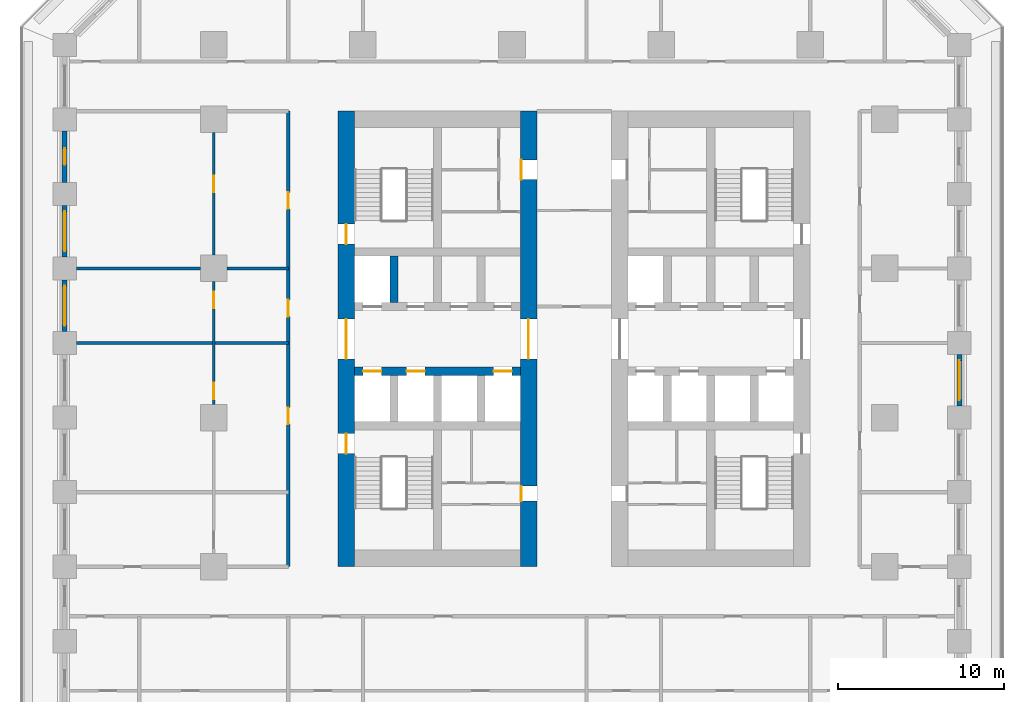
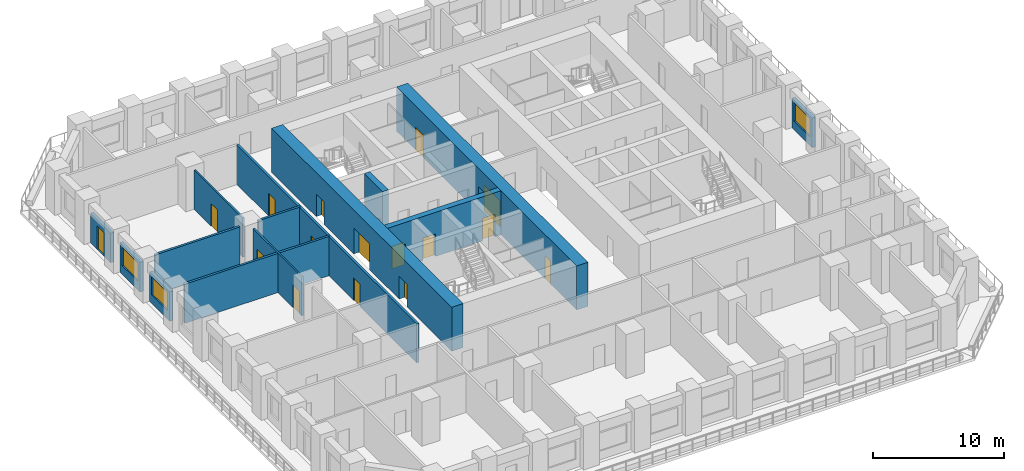
# One storey, part 5 of 12: 16 doors, 14 walls, 3 windows, 19 openings.
"""IFC4 building model written with IfcOpenShell, lengths in metres."""

import ifcopenshell
import ifcopenshell.guid

model = None  # the IFC model being written
_history = None  # IfcOwnerHistory: only IFC2X3 demands one
_inside = {}  # id of a spatial element -> (the spatial element, [elements in it])
_under = {}  # id of a project, library or spatial element -> (it, [spatial elements below it])
_declared = {}  # id of a project -> (the project, [libraries it declares])
_typed = {}  # id of a type object -> (the type object, [elements of that type])
_made_of = {}  # id of a material, layer set ... -> (it, [elements and type objects made of it])


def new_model(schema):
    """Start an empty IFC model of exactly this schema.

    Asked for "IFC4X3", IfcOpenShell would pick the latest addendum, in which some entities
    have other attributes; the version numbers below select the first issue.
    IFC2X3 requires an IfcOwnerHistory on every rooted entity: one is made here for all.
    """
    global model, _history
    if schema == "IFC4X3":
        model = ifcopenshell.file(schema_version=(4, 3, 0, 0))
    else:
        model = ifcopenshell.file(schema=schema)
    _inside.clear()
    _under.clear()
    _declared.clear()
    _typed.clear()
    _made_of.clear()
    _history = None
    if model.schema == "IFC2X3":
        org = make("IfcOrganization", Name="unknown")
        user = make(
            "IfcPersonAndOrganization",
            ThePerson=make("IfcPerson", FamilyName="unknown"),
            TheOrganization=org,
        )
        app = make(
            "IfcApplication",
            ApplicationDeveloper=org,
            Version="unknown",
            ApplicationFullName="unknown",
            ApplicationIdentifier="unknown",
        )
        _history = make(
            "IfcOwnerHistory",
            OwningUser=user,
            OwningApplication=app,
            ChangeAction="ADDED",
            CreationDate=0,
        )
    return model


def make(cls, **values):
    """One entity of the class cls with the attributes given. An attribute that is None is left unset."""
    return model.create_entity(
        cls, **{name: value for name, value in values.items() if value is not None}
    )


def rooted(cls, **values):
    """An entity with a GlobalId (a new one), such as an element, a storey or a relation."""
    return make(cls, GlobalId=ifcopenshell.guid.new(), OwnerHistory=_history, **values)


def si_unit(unit_type, name, prefix=None):
    """IfcSIUnit, for example si_unit("LENGTHUNIT", "METRE", prefix="MILLI")."""
    return make("IfcSIUnit", UnitType=unit_type, Prefix=prefix, Name=name)


def assignment(units):
    """IfcUnitAssignment: the units of a project."""
    return None if units is None else make("IfcUnitAssignment", Units=units)


def point(xyz):
    """IfcCartesianPoint."""
    return None if xyz is None else make("IfcCartesianPoint", Coordinates=xyz)


def direction(xyz):
    """IfcDirection."""
    return None if xyz is None else make("IfcDirection", DirectionRatios=xyz)


def frame(location, z_axis=None, x_axis=None):
    """IfcAxis2Placement3D, a coordinate frame: its origin and axes. An axis left out is left unset."""
    return make(
        "IfcAxis2Placement3D",
        Location=point(location),
        Axis=direction(z_axis),
        RefDirection=direction(x_axis),
    )


def frame_2d(location, x_axis=None):
    """IfcAxis2Placement2D, a coordinate frame in the plane: its origin and x axis."""
    return make(
        "IfcAxis2Placement2D", Location=point(location), RefDirection=direction(x_axis)
    )


def origin():
    """The frame at (0, 0, 0) with its axes left unset."""
    return frame((0.0, 0.0, 0.0))


def place(relative_to, where):
    """IfcLocalPlacement: puts the frame where relative to a parent placement (None: the world)."""
    return make(
        "IfcLocalPlacement", PlacementRelTo=relative_to, RelativePlacement=where
    )


def context(
    kind, dimensions, precision=None, world=None, true_north=None, identifier=None
):
    """IfcGeometricRepresentationContext, for example the 3D "Model" context."""
    return make(
        "IfcGeometricRepresentationContext",
        ContextIdentifier=identifier,
        ContextType=kind,
        CoordinateSpaceDimension=dimensions,
        Precision=precision,
        WorldCoordinateSystem=world,
        TrueNorth=true_north,
    )


def subcontext(parent, identifier, kind, view, scale=None):
    """IfcGeometricRepresentationSubContext, for example "Body" below "Model"."""
    return make(
        "IfcGeometricRepresentationSubContext",
        ContextIdentifier=identifier,
        ContextType=kind,
        ParentContext=parent,
        TargetScale=scale,
        TargetView=view,
    )


def project(units=None, contexts=None):
    """IfcProject with its units and contexts."""
    return rooted(
        "IfcProject",
        Name="project",
        RepresentationContexts=contexts,
        UnitsInContext=assignment(units),
    )


def spatial(cls, under=None, at=None, **own):
    """A site, building, storey or space (cls), placed at a placement, below another one or the project."""
    s = rooted(cls, ObjectPlacement=at, **own)
    if under is not None:
        _under.setdefault(under.id(), (under, []))[1].append(s)
    return s


def profile(cls, at=None, kind="AREA", **sizes):
    """A parametric profile (cls). Its sizes go by their IFC names, for example OverallWidth=200.0."""
    return make(cls, ProfileType=kind, Position=at, **sizes)


def rectangle(**sizes):
    """IfcRectangleProfileDef."""
    return profile("IfcRectangleProfileDef", **sizes)


def extrude(swept, where, along, depth):
    """IfcExtrudedAreaSolid: the profile swept, set in the frame where, extruded along a direction by depth."""
    return make(
        "IfcExtrudedAreaSolid",
        SweptArea=swept,
        Position=where,
        ExtrudedDirection=direction(along),
        Depth=depth,
    )


def shape(context_of_items, identifier, shape_type, items):
    """IfcShapeRepresentation: the items that make up one representation, for example the "Body"."""
    return make(
        "IfcShapeRepresentation",
        ContextOfItems=context_of_items,
        RepresentationIdentifier=identifier,
        RepresentationType=shape_type,
        Items=items,
    )


def material(Name=None, Category=None):
    """IfcMaterial."""
    return make("IfcMaterial", Name=Name, Category=Category)


def layer(
    of_material, thickness, ventilated=None, Name=None, Category=None, Priority=None
):
    """IfcMaterialLayer: one layer of a wall or slab, of a material (None: an air gap)."""
    return make(
        "IfcMaterialLayer",
        Material=of_material,
        LayerThickness=thickness,
        IsVentilated=ventilated,
        Name=Name,
        Category=Category,
        Priority=Priority,
    )


def layer_set(layers, Name=None):
    """IfcMaterialLayerSet."""
    return make("IfcMaterialLayerSet", MaterialLayers=layers, LayerSetName=Name)


def made_of(thing, what):
    """Note that an element or type object is made of a material, layer set ...; save() writes the relation."""
    if what is not None:
        _made_of.setdefault(what.id(), (what, []))[1].append(thing)
    return thing


def type_object(cls, material=None, **own):
    """A type object (cls), such as IfcWallType, which elements share."""
    return made_of(rooted(cls, **own), material)


def element(
    cls,
    number,
    at=None,
    inside=None,
    cuts=None,
    type_object=None,
    material=None,
    context=None,
    identifier="Body",
    shape_type=None,
    held_by="IfcProductDefinitionShape",
    body=None,
    shapes=None,
    **own,
):
    """One element of the class cls, such as IfcWall. Its Tag is "e" and its number.

    at: its placement. inside: the storey or other place that contains it. cuts: it is an
    opening in that element (IfcRelVoidsElement). A single representation is given by context,
    identifier, shape_type and body (its items); several are given by shapes. held_by: the class
    of the entity that holds the representations. save() writes the other relations.
    """
    e = rooted(cls, Tag="e%d" % number, ObjectPlacement=at, **own)
    if body is not None:
        shapes = [shape(context, identifier, shape_type, body)]
    if shapes is not None:
        e.Representation = make(held_by, Representations=shapes)
    if inside is not None:
        _inside.setdefault(inside.id(), (inside, []))[1].append(e)
    if cuts is not None:
        rooted(
            "IfcRelVoidsElement", RelatingBuildingElement=cuts, RelatedOpeningElement=e
        )
    if type_object is not None:
        _typed.setdefault(type_object.id(), (type_object, []))[1].append(e)
    return made_of(e, material)


def fill(opening, filler):
    """IfcRelFillsElement: the door or window that sits in an opening."""
    return rooted(
        "IfcRelFillsElement",
        RelatingOpeningElement=opening,
        RelatedBuildingElement=filler,
    )


def aggregate(whole, parts):
    """IfcRelAggregates: a whole, such as a stair, and the parts it consists of."""
    return rooted("IfcRelAggregates", RelatingObject=whole, RelatedObjects=parts)


def save(model, path):
    """Write the relations noted so far, then the file.

    IfcRelAggregates (storeys below a building ...), IfcRelContainedInSpatialStructure (elements
    in a storey), IfcRelDefinesByType, IfcRelAssociatesMaterial and IfcRelDeclares: one each for
    every whole, place, type object, material and project.
    """
    for whole, parts in _under.values():
        aggregate(whole, parts)
    for where, things in _inside.values():
        rooted(
            "IfcRelContainedInSpatialStructure",
            RelatedElements=things,
            RelatingStructure=where,
        )
    for kind, things in _typed.values():
        rooted("IfcRelDefinesByType", RelatedObjects=things, RelatingType=kind)
    for what, things in _made_of.values():
        rooted("IfcRelAssociatesMaterial", RelatedObjects=things, RelatingMaterial=what)
    for by, libraries in _declared.values():
        rooted("IfcRelDeclares", RelatingContext=by, RelatedDefinitions=libraries)
    model.write(path)


model = new_model("IFC4")

# Units and contexts
model_context = context("Model", 3, precision=1e-05, world=origin(), true_north=direction((0.0, 1.0)))
body_context = subcontext(model_context, "Body", "Model", "MODEL_VIEW")
ifc_project = project(units=[si_unit("LENGTHUNIT", "METRE"), si_unit("AREAUNIT", "SQUARE_METRE"), si_unit("VOLUMEUNIT", "CUBIC_METRE"), si_unit("PLANEANGLEUNIT", "RADIAN"), si_unit("MASSUNIT", "GRAM", prefix="KILO")], contexts=[model_context])

# Site, building, storey
site_placement = place(None, origin())
site = spatial("IfcSite", under=ifc_project, at=site_placement, CompositionType="ELEMENT")
building_placement = place(site_placement, origin())
building = spatial("IfcBuilding", under=site, at=building_placement, Name="Corbel Stack Research Tower", CompositionType="ELEMENT")
storey_placement = place(building_placement, frame((0.0, 0.0, 27.699951171875)))
storey = spatial("IfcBuildingStorey", under=building, at=storey_placement, Name="L06", CompositionType="ELEMENT", Elevation=27.699951171875)

# Wall, openings, doors
ifc_material_1 = material(Name="Concrete C70/85", Category="concrete")
ifc_layer_1 = layer(ifc_material_1, 1.0)
ifc_layer_set_1 = layer_set([ifc_layer_1], Name="Concrete C70/85")
wall_type_1 = type_object("IfcWallType", Name="CW-1000-70", PredefinedType="SHEAR", material=ifc_layer_set_1)
wall_1_placement = place(storey_placement, frame((-10.0, -9.0, 0.0), z_axis=(0.0, 0.0, 1.0), x_axis=(0.0, 1.0, 0.0)))
wall_1 = element("IfcWall", 1, at=wall_1_placement, inside=storey, type_object=wall_type_1, Name="West core wall, west face L06", PredefinedType="SHEAR", context=body_context, shape_type="SweptSolid", body=[
    extrude(rectangle(XDim=27.5, YDim=1.0, at=frame_2d((13.75, 0.0))), origin(), (0.0, 0.0, 1.0), 4.10009765625),
])
opening_1_placement = place(wall_1_placement, frame((12.550048828125, 0.0, 0.0)))
opening_1 = element("IfcOpeningElement", 2, at=opening_1_placement, cuts=wall_1, Name="Opening CD-W-W", PredefinedType="OPENING", context=body_context, shape_type="SweptSolid", body=[
    extrude(rectangle(XDim=2.39990234375, YDim=2.39990234375, at=frame_2d((1.199951171875, 1.199951171875))), frame((0.0, 0.510009765625, 0.0), z_axis=(0.0, -1.0, 0.0), x_axis=(1.0, 0.0, 0.0)), (0.0, 0.0, 1.0), 1.02001953125),
])
opening_2_placement = place(wall_1_placement, frame((6.824951171875, 0.0, 0.0)))
opening_2 = element("IfcOpeningElement", 3, at=opening_2_placement, cuts=wall_1, Name="Opening SD-ST-W1", PredefinedType="OPENING", context=body_context, shape_type="SweptSolid", body=[
    extrude(rectangle(XDim=1.199951171875, YDim=2.10009765625, at=frame_2d((0.60009765625, 1.050048828125))), frame((0.0, 0.510009765625, 0.0), z_axis=(0.0, -1.0, 0.0), x_axis=(1.0, 0.0, 0.0)), (0.0, 0.0, 1.0), 1.02001953125),
])
opening_3_placement = place(wall_1_placement, frame((19.47509765625, 0.0, 0.0)))
opening_3 = element("IfcOpeningElement", 4, at=opening_3_placement, cuts=wall_1, Name="Opening SD-ST-W2", PredefinedType="OPENING", context=body_context, shape_type="SweptSolid", body=[
    extrude(rectangle(XDim=1.199951171875, YDim=2.10009765625, at=frame_2d((0.60009765625, 1.050048828125))), frame((0.0, 0.510009765625, 0.0), z_axis=(0.0, -1.0, 0.0), x_axis=(1.0, 0.0, 0.0)), (0.0, 0.0, 1.0), 1.02001953125),
])
ifc_material_2 = material(Name="Painted steel fire door", Category="steel")
door_type_1 = type_object("IfcDoorType", Name="Lobby door pair 2400 x 2400 FD30S", OperationType="DOUBLE_DOOR_DOUBLE_SWING", PredefinedType="DOOR", material=ifc_material_2)
door_1_placement = place(opening_1_placement, origin())
door_1 = element("IfcDoor", 5, at=door_1_placement, inside=storey, type_object=door_type_1, Name="Lift lobby door W core W", OperationType="DOUBLE_DOOR_DOUBLE_SWING", OverallHeight=2.39990234375, OverallWidth=2.39990234375, PredefinedType="DOOR", context=body_context, shape_type="SweptSolid", body=[
    extrude(rectangle(XDim=2.39990234375, YDim=2.39990234375, at=frame_2d((1.199951171875, 1.199951171875))), frame((0.0, 0.02490234375, 0.0), z_axis=(0.0, -1.0, 0.0), x_axis=(1.0, 0.0, 0.0)), (0.0, 0.0, 1.0), 0.050048828125),
])
fill(opening_1, door_1)
ifc_material_3 = material(Name="Painted steel fire door", Category="steel")
door_type_2 = type_object("IfcDoorType", Name="Stair door 1200 x 2100 FD90 left hand", OperationType="SINGLE_SWING_LEFT", PredefinedType="DOOR", material=ifc_material_3)
door_2_placement = place(opening_2_placement, origin())
door_2 = element("IfcDoor", 6, at=door_2_placement, inside=storey, type_object=door_type_2, Name="Stair door ST-W1", OperationType="SINGLE_SWING_LEFT", OverallHeight=2.10009765625, OverallWidth=1.199951171875, PredefinedType="DOOR", context=body_context, shape_type="SweptSolid", body=[
    extrude(rectangle(XDim=1.199951171875, YDim=2.10009765625, at=frame_2d((0.60009765625, 1.050048828125))), frame((0.0, 0.02490234375, 0.0), z_axis=(0.0, -1.0, 0.0), x_axis=(1.0, 0.0, 0.0)), (0.0, 0.0, 1.0), 0.050048828125),
])
fill(opening_2, door_2)
door_3_placement = place(opening_3_placement, origin())
door_3 = element("IfcDoor", 7, at=door_3_placement, inside=storey, type_object=door_type_2, Name="Stair door ST-W2", OperationType="SINGLE_SWING_LEFT", OverallHeight=2.10009765625, OverallWidth=1.199951171875, PredefinedType="DOOR", context=body_context, shape_type="SweptSolid", body=[
    extrude(rectangle(XDim=1.199951171875, YDim=2.10009765625, at=frame_2d((0.60009765625, 1.050048828125))), frame((0.0, 0.02490234375, 0.0), z_axis=(0.0, -1.0, 0.0), x_axis=(1.0, 0.0, 0.0)), (0.0, 0.0, 1.0), 0.050048828125),
])
fill(opening_3, door_3)

wall_2_placement = place(storey_placement, frame((1.0, -9.0, 0.0), z_axis=(0.0, 0.0, 1.0), x_axis=(0.0, 1.0, 0.0)))
wall_2 = element("IfcWall", 8, at=wall_2_placement, inside=storey, type_object=wall_type_1, Name="West core wall, east face L06", PredefinedType="SHEAR", context=body_context, shape_type="SweptSolid", body=[
    extrude(rectangle(XDim=27.5, YDim=1.0, at=frame_2d((13.75, 0.0))), origin(), (0.0, 0.0, 1.0), 4.10009765625),
])
opening_4_placement = place(wall_2_placement, frame((12.550048828125, 0.0, 0.0)))
opening_4 = element("IfcOpeningElement", 9, at=opening_4_placement, cuts=wall_2, Name="Opening CD-W-E", PredefinedType="OPENING", context=body_context, shape_type="SweptSolid", body=[
    extrude(rectangle(XDim=2.39990234375, YDim=2.39990234375, at=frame_2d((1.199951171875, 1.199951171875))), frame((0.0, 0.510009765625, 0.0), z_axis=(0.0, -1.0, 0.0), x_axis=(1.0, 0.0, 0.0)), (0.0, 0.0, 1.0), 1.02001953125),
])
opening_5_placement = place(wall_2_placement, frame((3.955078125, 0.0, 0.0)))
opening_5 = element("IfcOpeningElement", 10, at=opening_5_placement, cuts=wall_2, Name="Opening CR-W24-W1-905", PredefinedType="OPENING", context=body_context, shape_type="SweptSolid", body=[
    extrude(rectangle(XDim=0.905029296875, YDim=2.10009765625, at=frame_2d((0.45263671875, 1.050048828125))), frame((0.0, 0.510009765625, 0.0), z_axis=(0.0, -1.0, 0.0), x_axis=(1.0, 0.0, 0.0)), (0.0, 0.0, 1.0), 1.02001953125),
])
opening_6_placement = place(wall_2_placement, frame((23.362548828125, 0.0, 0.0)))
opening_6 = element("IfcOpeningElement", 11, at=opening_6_placement, cuts=wall_2, Name="Opening CR-W24-R2-1200", PredefinedType="OPENING", context=body_context, shape_type="SweptSolid", body=[
    extrude(rectangle(XDim=1.199951171875, YDim=2.10009765625, at=frame_2d((0.60009765625, 1.050048828125))), frame((0.0, 0.510009765625, 0.0), z_axis=(0.0, -1.0, 0.0), x_axis=(1.0, 0.0, 0.0)), (0.0, 0.0, 1.0), 1.02001953125),
])
door_4_placement = place(opening_4_placement, origin())
door_4 = element("IfcDoor", 12, at=door_4_placement, inside=storey, type_object=door_type_1, Name="Lift lobby door W core E", OperationType="DOUBLE_DOOR_DOUBLE_SWING", OverallHeight=2.39990234375, OverallWidth=2.39990234375, PredefinedType="DOOR", context=body_context, shape_type="SweptSolid", body=[
    extrude(rectangle(XDim=2.39990234375, YDim=2.39990234375, at=frame_2d((1.199951171875, 1.199951171875))), frame((0.0, 0.02490234375, 0.0), z_axis=(0.0, -1.0, 0.0), x_axis=(1.0, 0.0, 0.0)), (0.0, 0.0, 1.0), 0.050048828125),
])
fill(opening_4, door_4)
ifc_material_4 = material(Name="Painted steel door", Category="steel")
door_type_3 = type_object("IfcDoorType", Name="Service door 1200 x 2100 FD30 right hand", OperationType="SINGLE_SWING_RIGHT", PredefinedType="DOOR", material=ifc_material_4)
door_5_placement = place(opening_6_placement, origin())
door_5 = element("IfcDoor", 13, at=door_5_placement, inside=storey, type_object=door_type_3, Name="Service passage door W core", OperationType="SINGLE_SWING_RIGHT", OverallHeight=2.10009765625, OverallWidth=1.199951171875, PredefinedType="DOOR", context=body_context, shape_type="SweptSolid", body=[
    extrude(rectangle(XDim=1.199951171875, YDim=2.10009765625, at=frame_2d((0.60009765625, 1.050048828125))), frame((0.0, 0.47509765625, 0.0), z_axis=(0.0, -1.0, 0.0), x_axis=(1.0, 0.0, 0.0)), (0.0, 0.0, 1.0), 0.050048828125),
])
fill(opening_6, door_5)
ifc_material_5 = material(Name="Painted timber door", Category="wood")
door_type_4 = type_object("IfcDoorType", Name="WC door 905 x 2100 left hand", OperationType="SINGLE_SWING_LEFT", PredefinedType="DOOR", material=ifc_material_5)
door_6_placement = place(opening_5_placement, origin())
door_6 = element("IfcDoor", 14, at=door_6_placement, inside=storey, type_object=door_type_4, Name="WC lobby door W core", OperationType="SINGLE_SWING_LEFT", OverallHeight=2.10009765625, OverallWidth=0.905029296875, PredefinedType="DOOR", context=body_context, shape_type="SweptSolid", body=[
    extrude(rectangle(XDim=0.905029296875, YDim=2.10009765625, at=frame_2d((0.45263671875, 1.050048828125))), frame((0.0, 0.47509765625, 0.0), z_axis=(0.0, -1.0, 0.0), x_axis=(1.0, 0.0, 0.0)), (0.0, 0.0, 1.0), 0.050048828125),
])
fill(opening_5, door_6)

ifc_material_6 = material(Name="Concrete C70/85", Category="concrete")
ifc_layer_2 = layer(ifc_material_6, 0.5)
ifc_layer_set_2 = layer_set([ifc_layer_2], Name="Concrete C70/85")
wall_type_2 = type_object("IfcWallType", Name="CW-500-70", PredefinedType="SHEAR", material=ifc_layer_set_2)
wall_3_placement = place(storey_placement, frame((-9.5, 2.800048828125, 0.0), z_axis=(0.0, 0.0, 1.0), x_axis=(1.0, 0.0, 0.0)))
wall_3 = element("IfcWall", 15, at=wall_3_placement, inside=storey, type_object=wall_type_2, Name="West core wall, lobby south L06", PredefinedType="SHEAR", context=body_context, shape_type="SweptSolid", body=[
    extrude(rectangle(XDim=10.0, YDim=0.5, at=frame_2d((5.0, 0.0))), origin(), (0.0, 0.0, 1.0), 4.10009765625),
])
opening_7_placement = place(wall_3_placement, frame((0.512451171875, 0.0, 0.0)))
opening_7 = element("IfcOpeningElement", 16, at=opening_7_placement, cuts=wall_3, Name="Opening LD-FS1", PredefinedType="OPENING", context=body_context, shape_type="SweptSolid", body=[
    extrude(rectangle(XDim=1.10009765625, YDim=2.10009765625, at=frame_2d((0.550048828125, 1.050048828125))), frame((0.0, 0.260009765625, 0.0), z_axis=(0.0, -1.0, 0.0), x_axis=(1.0, 0.0, 0.0)), (0.0, 0.0, 1.0), 0.52001953125),
])
opening_8_placement = place(wall_3_placement, frame((3.137451171875, 0.0, 0.0)))
opening_8 = element("IfcOpeningElement", 17, at=opening_8_placement, cuts=wall_3, Name="Opening LD-GL1", PredefinedType="OPENING", context=body_context, shape_type="SweptSolid", body=[
    extrude(rectangle(XDim=1.10009765625, YDim=2.10009765625, at=frame_2d((0.550048828125, 1.050048828125))), frame((0.0, 0.260009765625, 0.0), z_axis=(0.0, -1.0, 0.0), x_axis=(1.0, 0.0, 0.0)), (0.0, 0.0, 1.0), 0.52001953125),
])
opening_9_placement = place(wall_3_placement, frame((8.387451171875, 0.0, 0.0)))
opening_9 = element("IfcOpeningElement", 18, at=opening_9_placement, cuts=wall_3, Name="Opening LD-LR1", PredefinedType="OPENING", context=body_context, shape_type="SweptSolid", body=[
    extrude(rectangle(XDim=1.10009765625, YDim=2.10009765625, at=frame_2d((0.550048828125, 1.050048828125))), frame((0.0, 0.260009765625, 0.0), z_axis=(0.0, -1.0, 0.0), x_axis=(1.0, 0.0, 0.0)), (0.0, 0.0, 1.0), 0.52001953125),
])
ifc_material_7 = material(Name="Stainless steel landing door", Category="steel")
door_type_5 = type_object("IfcDoorType", Name="Lift landing door 1100 x 2100", OperationType="DOUBLE_DOOR_SLIDING", PredefinedType="DOOR", material=ifc_material_7)
door_7_placement = place(opening_7_placement, origin())
door_7 = element("IfcDoor", 19, at=door_7_placement, inside=storey, type_object=door_type_5, Name="Landing door FS1", OperationType="DOUBLE_DOOR_SLIDING", OverallHeight=2.10009765625, OverallWidth=1.10009765625, PredefinedType="DOOR", context=body_context, shape_type="SweptSolid", body=[
    extrude(rectangle(XDim=1.10009765625, YDim=2.10009765625, at=frame_2d((0.550048828125, 1.050048828125))), frame((0.0, 0.02490234375, 0.0), z_axis=(0.0, -1.0, 0.0), x_axis=(1.0, 0.0, 0.0)), (0.0, 0.0, 1.0), 0.050048828125),
])
fill(opening_7, door_7)
door_8_placement = place(opening_8_placement, origin())
door_8 = element("IfcDoor", 20, at=door_8_placement, inside=storey, type_object=door_type_5, Name="Landing door GL1", OperationType="DOUBLE_DOOR_SLIDING", OverallHeight=2.10009765625, OverallWidth=1.10009765625, PredefinedType="DOOR", context=body_context, shape_type="SweptSolid", body=[
    extrude(rectangle(XDim=1.10009765625, YDim=2.10009765625, at=frame_2d((0.550048828125, 1.050048828125))), frame((0.0, 0.02490234375, 0.0), z_axis=(0.0, -1.0, 0.0), x_axis=(1.0, 0.0, 0.0)), (0.0, 0.0, 1.0), 0.050048828125),
])
fill(opening_8, door_8)
door_9_placement = place(opening_9_placement, origin())
door_9 = element("IfcDoor", 21, at=door_9_placement, inside=storey, type_object=door_type_5, Name="Landing door LR1", OperationType="DOUBLE_DOOR_SLIDING", OverallHeight=2.10009765625, OverallWidth=1.10009765625, PredefinedType="DOOR", context=body_context, shape_type="SweptSolid", body=[
    extrude(rectangle(XDim=1.10009765625, YDim=2.10009765625, at=frame_2d((0.550048828125, 1.050048828125))), frame((0.0, 0.02490234375, 0.0), z_axis=(0.0, -1.0, 0.0), x_axis=(1.0, 0.0, 0.0)), (0.0, 0.0, 1.0), 0.050048828125),
])
fill(opening_9, door_9)

# Wall
wall_4_placement = place(storey_placement, frame((-7.125, 6.949951171875, 0.0), z_axis=(0.0, 0.0, 1.0), x_axis=(0.0, 1.0, 0.0)))
element("IfcWall", 22, at=wall_4_placement, inside=storey, type_object=wall_type_2, Name="West core wall, north shaft 1 L06", PredefinedType="SHEAR", context=body_context, shape_type="SweptSolid", body=[
    extrude(rectangle(XDim=2.800048828125, YDim=0.5, at=frame_2d((1.39990234375, 0.0))), origin(), (0.0, 0.0, 1.0), 4.10009765625),
])

# Wall, openings, doors
ifc_material_8 = material(Name="Fire-rated gypsum board partition on steel studs", Category="steel")
ifc_layer_3 = layer(ifc_material_8, 0.199951171875)
ifc_layer_set_3 = layer_set([ifc_layer_3], Name="Fire-rated gypsum board partition on steel studs")
wall_type_3 = type_object("IfcWallType", Name="Fire-rated partition 200 EI 60", PredefinedType="PARTITIONING", material=ifc_layer_set_3)
wall_5_placement = place(storey_placement, frame((-13.5, -9.0, 0.0), z_axis=(0.0, 0.0, 1.0), x_axis=(0.0, 1.0, 0.0)))
wall_5 = element("IfcWall", 23, at=wall_5_placement, inside=storey, type_object=wall_type_3, Name="Partition L06-007", PredefinedType="PARTITIONING", context=body_context, shape_type="SweptSolid", body=[
    extrude(rectangle(XDim=27.5, YDim=0.199951171875, at=frame_2d((13.75, 0.0))), origin(), (0.0, 0.0, 1.0), 3.650146484375),
])
opening_10_placement = place(wall_5_placement, frame((8.60009765625, 0.0, 0.0)))
opening_10 = element("IfcOpeningElement", 24, at=opening_10_placement, cuts=wall_5, Name="Opening B1V1-013", PredefinedType="OPENING", context=body_context, shape_type="SweptSolid", body=[
    extrude(rectangle(XDim=1.0, YDim=2.10009765625, at=frame_2d((0.5, 1.050048828125))), frame((0.0, 0.10986328125, 0.0), z_axis=(0.0, -1.0, 0.0), x_axis=(1.0, 0.0, 0.0)), (0.0, 0.0, 1.0), 0.219970703125),
])
opening_11_placement = place(wall_5_placement, frame((15.10009765625, 0.0, 0.0)))
opening_11 = element("IfcOpeningElement", 25, at=opening_11_placement, cuts=wall_5, Name="Opening B1V1-014", PredefinedType="OPENING", context=body_context, shape_type="SweptSolid", body=[
    extrude(rectangle(XDim=1.0, YDim=2.10009765625, at=frame_2d((0.5, 1.050048828125))), frame((0.0, 0.10986328125, 0.0), z_axis=(0.0, -1.0, 0.0), x_axis=(1.0, 0.0, 0.0)), (0.0, 0.0, 1.0), 0.219970703125),
])
opening_12_placement = place(wall_5_placement, frame((21.60009765625, 0.0, 0.0)))
opening_12 = element("IfcOpeningElement", 26, at=opening_12_placement, cuts=wall_5, Name="Opening B1V1-015", PredefinedType="OPENING", context=body_context, shape_type="SweptSolid", body=[
    extrude(rectangle(XDim=1.0, YDim=2.10009765625, at=frame_2d((0.5, 1.050048828125))), frame((0.0, 0.10986328125, 0.0), z_axis=(0.0, -1.0, 0.0), x_axis=(1.0, 0.0, 0.0)), (0.0, 0.0, 1.0), 0.219970703125),
])
ifc_material_9 = material(Name="Painted steel fire door", Category="steel")
door_type_6 = type_object("IfcDoorType", Name="Fire door FD30S 1000 x 2100", OperationType="NOTDEFINED", PredefinedType="DOOR", material=ifc_material_9)
door_10_placement = place(opening_10_placement, origin())
door_10 = element("IfcDoor", 27, at=door_10_placement, inside=storey, type_object=door_type_6, Name="Door B1V1-013", OperationType="SINGLE_SWING_LEFT", OverallHeight=2.10009765625, OverallWidth=1.0, PredefinedType="DOOR", context=body_context, shape_type="SweptSolid", body=[
    extrude(rectangle(XDim=1.0, YDim=2.10009765625, at=frame_2d((0.5, 1.050048828125))), frame((0.0, 0.02490234375, 0.0), z_axis=(0.0, -1.0, 0.0), x_axis=(1.0, 0.0, 0.0)), (0.0, 0.0, 1.0), 0.050048828125),
])
fill(opening_10, door_10)
door_11_placement = place(opening_11_placement, origin())
door_11 = element("IfcDoor", 28, at=door_11_placement, inside=storey, type_object=door_type_6, Name="Door B1V1-014", OperationType="SINGLE_SWING_RIGHT", OverallHeight=2.10009765625, OverallWidth=1.0, PredefinedType="DOOR", context=body_context, shape_type="SweptSolid", body=[
    extrude(rectangle(XDim=1.0, YDim=2.10009765625, at=frame_2d((0.5, 1.050048828125))), frame((0.0, 0.02490234375, 0.0), z_axis=(0.0, -1.0, 0.0), x_axis=(1.0, 0.0, 0.0)), (0.0, 0.0, 1.0), 0.050048828125),
])
fill(opening_11, door_11)
door_12_placement = place(opening_12_placement, origin())
door_12 = element("IfcDoor", 29, at=door_12_placement, inside=storey, type_object=door_type_6, Name="Door B1V1-015", OperationType="SINGLE_SWING_RIGHT", OverallHeight=2.10009765625, OverallWidth=1.0, PredefinedType="DOOR", context=body_context, shape_type="SweptSolid", body=[
    extrude(rectangle(XDim=1.0, YDim=2.10009765625, at=frame_2d((0.5, 1.050048828125))), frame((0.0, 0.02490234375, 0.0), z_axis=(0.0, -1.0, 0.0), x_axis=(1.0, 0.0, 0.0)), (0.0, 0.0, 1.0), 0.050048828125),
])
fill(opening_12, door_12)

# Walls
wall_6_placement = place(storey_placement, frame((-26.300048828125, 4.5, 0.0), z_axis=(0.0, 0.0, 1.0), x_axis=(1.0, 0.0, 0.0)))
element("IfcWall", 30, at=wall_6_placement, inside=storey, type_object=wall_type_3, Name="Partition L06-032", PredefinedType="PARTITIONING", context=body_context, shape_type="SweptSolid", body=[
    extrude(rectangle(XDim=12.800048828125, YDim=0.199951171875, at=frame_2d((6.39990234375, 0.0))), origin(), (0.0, 0.0, 1.0), 3.650146484375),
])
wall_7_placement = place(storey_placement, frame((-26.300048828125, 9.0, 0.0), z_axis=(0.0, 0.0, 1.0), x_axis=(1.0, 0.0, 0.0)))
element("IfcWall", 31, at=wall_7_placement, inside=storey, type_object=wall_type_3, Name="Partition L06-035", PredefinedType="PARTITIONING", context=body_context, shape_type="SweptSolid", body=[
    extrude(rectangle(XDim=7.5, YDim=0.199951171875, at=frame_2d((3.75, 0.0))), origin(), (0.0, 0.0, 1.0), 3.650146484375),
])
wall_8_placement = place(storey_placement, frame((-17.199951171875, 9.0, 0.0), z_axis=(0.0, 0.0, 1.0), x_axis=(1.0, 0.0, 0.0)))
element("IfcWall", 32, at=wall_8_placement, inside=storey, type_object=wall_type_3, Name="Partition L06-036", PredefinedType="PARTITIONING", context=body_context, shape_type="SweptSolid", body=[
    extrude(rectangle(XDim=3.699951171875, YDim=0.199951171875, at=frame_2d((1.85009765625, 0.0))), origin(), (0.0, 0.0, 1.0), 3.650146484375),
])

# Wall, openings, doors
ifc_material_10 = material(Name="Gypsum board partition on steel studs", Category="steel")
ifc_layer_4 = layer(ifc_material_10, 0.14990234375)
ifc_layer_set_4 = layer_set([ifc_layer_4], Name="Gypsum board partition on steel studs")
wall_type_4 = type_object("IfcWallType", Name="Partition 150", PredefinedType="PARTITIONING", material=ifc_layer_set_4)
wall_9_placement = place(storey_placement, frame((-18.0, 0.800048828125, 0.0), z_axis=(0.0, 0.0, 1.0), x_axis=(0.0, 1.0, 0.0)))
wall_9 = element("IfcWall", 33, at=wall_9_placement, inside=storey, type_object=wall_type_4, Name="Partition L06-004", PredefinedType="PARTITIONING", context=body_context, shape_type="SweptSolid", body=[
    extrude(rectangle(XDim=7.39990234375, YDim=0.14990234375, at=frame_2d((3.699951171875, 0.0))), origin(), (0.0, 0.0, 1.0), 3.650146484375),
])
opening_13_placement = place(wall_9_placement, frame((0.300048828125, 0.0, 0.0)))
opening_13 = element("IfcOpeningElement", 34, at=opening_13_placement, cuts=wall_9, Name="Opening B1V1-002", PredefinedType="OPENING", context=body_context, shape_type="SweptSolid", body=[
    extrude(rectangle(XDim=1.0, YDim=2.10009765625, at=frame_2d((0.5, 1.050048828125))), frame((0.0, 0.0849609375, 0.0), z_axis=(0.0, -1.0, 0.0), x_axis=(1.0, 0.0, 0.0)), (0.0, 0.0, 1.0), 0.169921875),
])
opening_14_placement = place(wall_9_placement, frame((5.800048828125, 0.0, 0.0)))
opening_14 = element("IfcOpeningElement", 35, at=opening_14_placement, cuts=wall_9, Name="Opening B1V1-003", PredefinedType="OPENING", context=body_context, shape_type="SweptSolid", body=[
    extrude(rectangle(XDim=1.0, YDim=2.10009765625, at=frame_2d((0.5, 1.050048828125))), frame((0.0, 0.0849609375, 0.0), z_axis=(0.0, -1.0, 0.0), x_axis=(1.0, 0.0, 0.0)), (0.0, 0.0, 1.0), 0.169921875),
])
ifc_material_11 = material(Name="Painted timber door", Category="wood")
door_type_7 = type_object("IfcDoorType", Name="Single door 1000 x 2100", OperationType="NOTDEFINED", PredefinedType="DOOR", material=ifc_material_11)
door_13_placement = place(opening_13_placement, origin())
door_13 = element("IfcDoor", 36, at=door_13_placement, inside=storey, type_object=door_type_7, Name="Door B1V1-002", OperationType="SINGLE_SWING_LEFT", OverallHeight=2.10009765625, OverallWidth=1.0, PredefinedType="DOOR", context=body_context, shape_type="SweptSolid", body=[
    extrude(rectangle(XDim=1.0, YDim=2.10009765625, at=frame_2d((0.5, 1.050048828125))), frame((0.0, 0.02490234375, 0.0), z_axis=(0.0, -1.0, 0.0), x_axis=(1.0, 0.0, 0.0)), (0.0, 0.0, 1.0), 0.050048828125),
])
fill(opening_13, door_13)
door_14_placement = place(opening_14_placement, origin())
door_14 = element("IfcDoor", 37, at=door_14_placement, inside=storey, type_object=door_type_7, Name="Door B1V1-003", OperationType="SINGLE_SWING_RIGHT", OverallHeight=2.10009765625, OverallWidth=1.0, PredefinedType="DOOR", context=body_context, shape_type="SweptSolid", body=[
    extrude(rectangle(XDim=1.0, YDim=2.10009765625, at=frame_2d((0.5, 1.050048828125))), frame((0.0, 0.02490234375, 0.0), z_axis=(0.0, -1.0, 0.0), x_axis=(1.0, 0.0, 0.0)), (0.0, 0.0, 1.0), 0.050048828125),
])
fill(opening_14, door_14)

# Wall, opening, door
wall_10_placement = place(storey_placement, frame((-18.0, 9.800048828125, 0.0), z_axis=(0.0, 0.0, 1.0), x_axis=(0.0, 1.0, 0.0)))
wall_10 = element("IfcWall", 38, at=wall_10_placement, inside=storey, type_object=wall_type_4, Name="Partition L06-005", PredefinedType="PARTITIONING", context=body_context, shape_type="SweptSolid", body=[
    extrude(rectangle(XDim=7.39990234375, YDim=0.14990234375, at=frame_2d((3.699951171875, 0.0))), origin(), (0.0, 0.0, 1.0), 3.650146484375),
])
opening_15_placement = place(wall_10_placement, frame((3.800048828125, 0.0, 0.0)))
opening_15 = element("IfcOpeningElement", 39, at=opening_15_placement, cuts=wall_10, Name="Opening B1V1-004", PredefinedType="OPENING", context=body_context, shape_type="SweptSolid", body=[
    extrude(rectangle(XDim=1.0, YDim=2.10009765625, at=frame_2d((0.5, 1.050048828125))), frame((0.0, 0.0849609375, 0.0), z_axis=(0.0, -1.0, 0.0), x_axis=(1.0, 0.0, 0.0)), (0.0, 0.0, 1.0), 0.169921875),
])
door_15_placement = place(opening_15_placement, origin())
door_15 = element("IfcDoor", 40, at=door_15_placement, inside=storey, type_object=door_type_7, Name="Door B1V1-004", OperationType="SINGLE_SWING_RIGHT", OverallHeight=2.10009765625, OverallWidth=1.0, PredefinedType="DOOR", context=body_context, shape_type="SweptSolid", body=[
    extrude(rectangle(XDim=1.0, YDim=2.10009765625, at=frame_2d((0.5, 1.050048828125))), frame((0.0, 0.02490234375, 0.0), z_axis=(0.0, -1.0, 0.0), x_axis=(1.0, 0.0, 0.0)), (0.0, 0.0, 1.0), 0.050048828125),
])
fill(opening_15, door_15)

# Wall, opening, window
ifc_material_12 = material(Name="Concrete C45/55", Category="concrete")
ifc_layer_5 = layer(ifc_material_12, 0.300048828125)
ifc_layer_set_5 = layer_set([ifc_layer_5], Name="Concrete C45/55")
wall_type_5 = type_object("IfcWallType", Name="Terracotta-faced concrete wall 300", PredefinedType="SOLIDWALL", material=ifc_layer_set_5)
wall_11_placement = place(storey_placement, frame((27.0, 3.800048828125, 0.0), z_axis=(0.0, 0.0, 1.0), x_axis=(0.0, -1.0, 0.0)))
wall_11 = element("IfcWall", 41, at=wall_11_placement, inside=storey, type_object=wall_type_5, Name="Facade wall L06 E06", PredefinedType="SOLIDWALL", context=body_context, shape_type="SweptSolid", body=[
    extrude(rectangle(XDim=3.10009765625, YDim=0.300048828125, at=frame_2d((1.550048828125, 0.0))), origin(), (0.0, 0.0, 1.0), 2.75),
])
opening_16_placement = place(wall_11_placement, frame((0.35009765625, 0.0, 0.800048828125)))
opening_16 = element("IfcOpeningElement", 42, at=opening_16_placement, cuts=wall_11, Name="Opening W1", PredefinedType="OPENING", context=body_context, shape_type="SweptSolid", body=[
    extrude(rectangle(XDim=2.39990234375, YDim=1.699951171875, at=frame_2d((1.199951171875, 0.85009765625))), frame((0.0, 0.159912109375, 0.0), z_axis=(0.0, -1.0, 0.0), x_axis=(1.0, 0.0, 0.0)), (0.0, 0.0, 1.0), 0.320068359375),
])
ifc_material_13 = material(Name="Aluminium frame, clear double glazing", Category="aluminium")
window_type = type_object("IfcWindowType", Name="Window W1 2400 x 1700", PartitioningType="SINGLE_PANEL", PredefinedType="WINDOW", material=ifc_material_13)
window_1_placement = place(opening_16_placement, origin())
window_1 = element("IfcWindow", 43, at=window_1_placement, inside=storey, type_object=window_type, Name="Window W1 L06 E06", OverallHeight=1.699951171875, OverallWidth=2.39990234375, PartitioningType="SINGLE_PANEL", PredefinedType="WINDOW", context=body_context, shape_type="SweptSolid", body=[
    extrude(rectangle(XDim=2.39990234375, YDim=1.699951171875, at=frame_2d((1.199951171875, 0.85009765625))), frame((0.0, 0.030029296875, 0.0), z_axis=(0.0, -1.0, 0.0), x_axis=(1.0, 0.0, 0.0)), (0.0, 0.0, 1.0), 0.06005859375),
])
fill(opening_16, window_1)

# Wall, opening, door
wall_12_placement = place(storey_placement, frame((-27.0, 14.199951171875, 0.0), z_axis=(0.0, 0.0, 1.0), x_axis=(0.0, 1.0, 0.0)))
wall_12 = element("IfcWall", 44, at=wall_12_placement, inside=storey, type_object=wall_type_5, Name="Facade wall L06 W02", PredefinedType="SOLIDWALL", context=body_context, shape_type="SweptSolid", body=[
    extrude(rectangle(XDim=3.10009765625, YDim=0.300048828125, at=frame_2d((1.550048828125, 0.0))), origin(), (0.0, 0.0, 1.0), 2.75),
])
opening_17_placement = place(wall_12_placement, frame((1.050048828125, 0.0, 0.0)))
opening_17 = element("IfcOpeningElement", 45, at=opening_17_placement, cuts=wall_12, Name="Opening L06-B10", PredefinedType="OPENING", context=body_context, shape_type="SweptSolid", body=[
    extrude(rectangle(XDim=1.0, YDim=2.199951171875, at=frame_2d((0.5, 1.10009765625))), frame((0.0, 0.159912109375, 0.0), z_axis=(0.0, -1.0, 0.0), x_axis=(1.0, 0.0, 0.0)), (0.0, 0.0, 1.0), 0.320068359375),
])
ifc_material_14 = material(Name="Aluminium frame, clear double glazing", Category="aluminium")
door_type_8 = type_object("IfcDoorType", Name="Balcony door BD1 1000 x 2200", OperationType="NOTDEFINED", PredefinedType="DOOR", material=ifc_material_14)
door_16_placement = place(opening_17_placement, origin())
door_16 = element("IfcDoor", 46, at=door_16_placement, inside=storey, type_object=door_type_8, Name="Balcony door L06-B10", OperationType="SINGLE_SWING_RIGHT", OverallHeight=2.199951171875, OverallWidth=1.0, PredefinedType="DOOR", context=body_context, shape_type="SweptSolid", body=[
    extrude(rectangle(XDim=1.0, YDim=2.199951171875, at=frame_2d((0.5, 1.10009765625))), frame((0.0, 0.02490234375, 0.0), z_axis=(0.0, -1.0, 0.0), x_axis=(1.0, 0.0, 0.0)), (0.0, 0.0, 1.0), 0.050048828125),
])
fill(opening_17, door_16)

# Wall, opening, window
wall_13_placement = place(storey_placement, frame((-27.0, 9.699951171875, 0.0), z_axis=(0.0, 0.0, 1.0), x_axis=(0.0, 1.0, 0.0)))
wall_13 = element("IfcWall", 47, at=wall_13_placement, inside=storey, type_object=wall_type_5, Name="Facade wall L06 W03", PredefinedType="SOLIDWALL", context=body_context, shape_type="SweptSolid", body=[
    extrude(rectangle(XDim=3.10009765625, YDim=0.300048828125, at=frame_2d((1.550048828125, 0.0))), origin(), (0.0, 0.0, 1.0), 2.75),
])
opening_18_placement = place(wall_13_placement, frame((0.35009765625, 0.0, 0.800048828125)))
opening_18 = element("IfcOpeningElement", 48, at=opening_18_placement, cuts=wall_13, Name="Opening W1", PredefinedType="OPENING", context=body_context, shape_type="SweptSolid", body=[
    extrude(rectangle(XDim=2.39990234375, YDim=1.699951171875, at=frame_2d((1.199951171875, 0.85009765625))), frame((0.0, 0.159912109375, 0.0), z_axis=(0.0, -1.0, 0.0), x_axis=(1.0, 0.0, 0.0)), (0.0, 0.0, 1.0), 0.320068359375),
])
window_2_placement = place(opening_18_placement, origin())
window_2 = element("IfcWindow", 49, at=window_2_placement, inside=storey, type_object=window_type, Name="Window W1 L06 W03", OverallHeight=1.699951171875, OverallWidth=2.39990234375, PartitioningType="SINGLE_PANEL", PredefinedType="WINDOW", context=body_context, shape_type="SweptSolid", body=[
    extrude(rectangle(XDim=2.39990234375, YDim=1.699951171875, at=frame_2d((1.199951171875, 0.85009765625))), frame((0.0, 0.030029296875, 0.0), z_axis=(0.0, -1.0, 0.0), x_axis=(1.0, 0.0, 0.0)), (0.0, 0.0, 1.0), 0.06005859375),
])
fill(opening_18, window_2)

wall_14_placement = place(storey_placement, frame((-27.0, 5.199951171875, 0.0), z_axis=(0.0, 0.0, 1.0), x_axis=(0.0, 1.0, 0.0)))
wall_14 = element("IfcWall", 50, at=wall_14_placement, inside=storey, type_object=wall_type_5, Name="Facade wall L06 W04", PredefinedType="SOLIDWALL", context=body_context, shape_type="SweptSolid", body=[
    extrude(rectangle(XDim=3.10009765625, YDim=0.300048828125, at=frame_2d((1.550048828125, 0.0))), origin(), (0.0, 0.0, 1.0), 2.75),
])
opening_19_placement = place(wall_14_placement, frame((0.35009765625, 0.0, 0.800048828125)))
opening_19 = element("IfcOpeningElement", 51, at=opening_19_placement, cuts=wall_14, Name="Opening W1", PredefinedType="OPENING", context=body_context, shape_type="SweptSolid", body=[
    extrude(rectangle(XDim=2.39990234375, YDim=1.699951171875, at=frame_2d((1.199951171875, 0.85009765625))), frame((0.0, 0.159912109375, 0.0), z_axis=(0.0, -1.0, 0.0), x_axis=(1.0, 0.0, 0.0)), (0.0, 0.0, 1.0), 0.320068359375),
])
window_3_placement = place(opening_19_placement, origin())
window_3 = element("IfcWindow", 52, at=window_3_placement, inside=storey, type_object=window_type, Name="Window W1 L06 W04", OverallHeight=1.699951171875, OverallWidth=2.39990234375, PartitioningType="SINGLE_PANEL", PredefinedType="WINDOW", context=body_context, shape_type="SweptSolid", body=[
    extrude(rectangle(XDim=2.39990234375, YDim=1.699951171875, at=frame_2d((1.199951171875, 0.85009765625))), frame((0.0, 0.030029296875, 0.0), z_axis=(0.0, -1.0, 0.0), x_axis=(1.0, 0.0, 0.0)), (0.0, 0.0, 1.0), 0.06005859375),
])
fill(opening_19, window_3)

save(model, "model.ifc")
